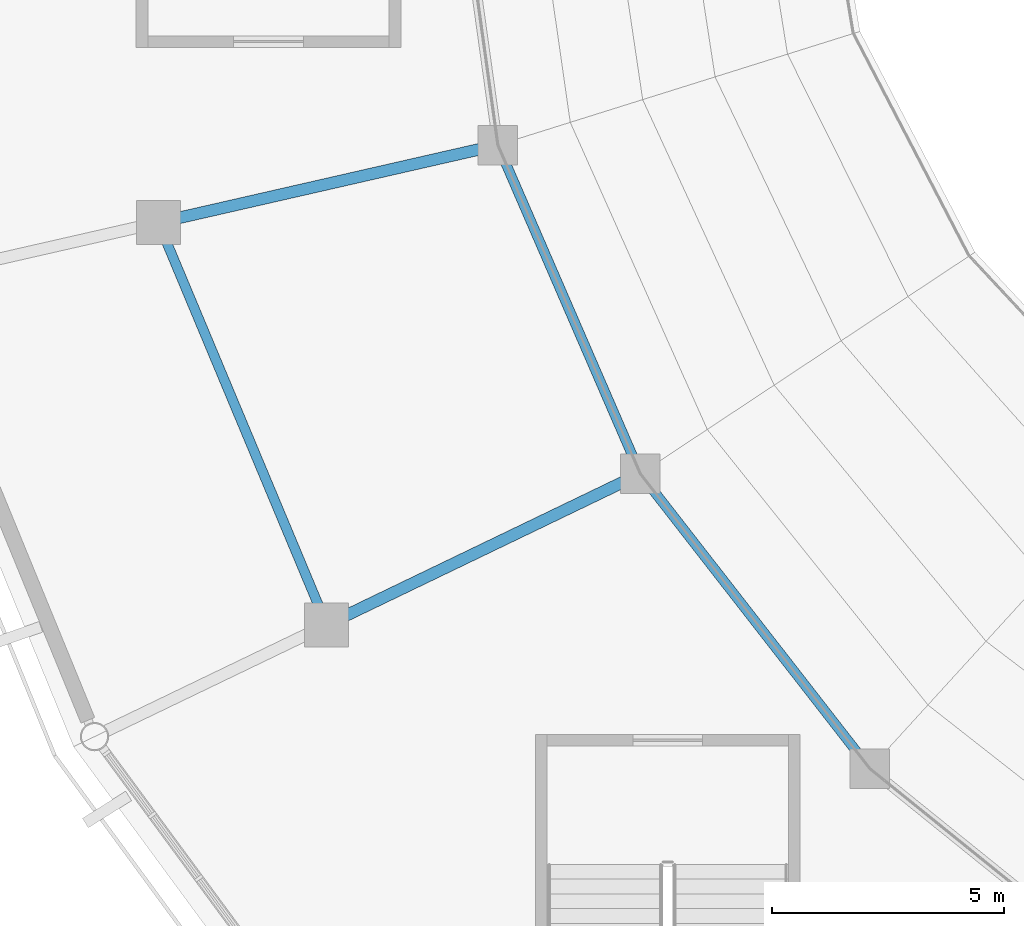
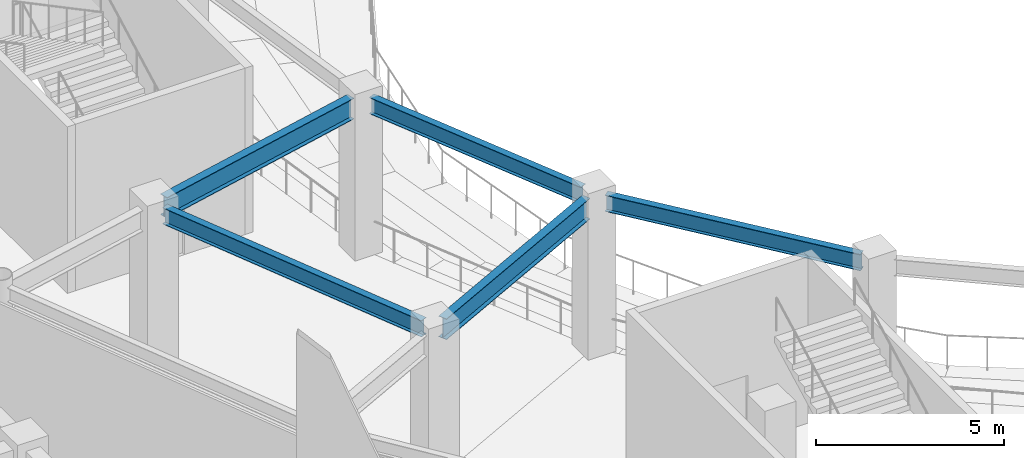
# One storey, part 21 of 120: 5 beams.
"""IFC4 building model written with IfcOpenShell, lengths in metres."""

from ifc_helpers import new_model, si_unit, direction, frame, origin, origin_2d, place, context, subcontext, project, spatial, i_section, extrude, material, material_profile, profile_set, type_object, element, save


model = new_model("IFC4")

# Units and contexts
model_context = context("Model", 3, precision=1e-05, world=origin(), true_north=direction((0.0, 1.0)))
body_context = subcontext(model_context, "Body", "Model", "MODEL_VIEW")
ifc_project = project(units=[si_unit("LENGTHUNIT", "METRE"), si_unit("AREAUNIT", "SQUARE_METRE"), si_unit("VOLUMEUNIT", "CUBIC_METRE"), si_unit("PLANEANGLEUNIT", "RADIAN"), si_unit("MASSUNIT", "GRAM", prefix="KILO")], contexts=[model_context])

# Site, building, storey
site_placement = place(None, origin())
site = spatial("IfcSite", under=ifc_project, at=site_placement, CompositionType="ELEMENT")
building_placement = place(site_placement, origin())
building = spatial("IfcBuilding", under=site, at=building_placement, Name="Cuetzalor Civic Arena", CompositionType="ELEMENT")
storey_placement = place(building_placement, frame((0.0, 0.0, 6.0)))
storey = spatial("IfcBuildingStorey", under=building, at=storey_placement, Name="L01", CompositionType="ELEMENT", Elevation=6.0)

# Beams
ifc_material_1 = material(Name="Steel S355", Category="steel")
ifc_material_profile_1 = material_profile(ifc_material_1, i_section(OverallWidth=0.208984375, OverallDepth=0.532958984375, WebThickness=0.01025390625, FlangeThickness=0.015625, at=origin_2d()), Name="W530x92")
ifc_profile_set_1 = profile_set([ifc_material_profile_1], Name="Steel S355")
beam_type_1 = type_object("IfcBeamType", Name="SteelCollarGirder_W530", PredefinedType="BEAM", material=ifc_profile_set_1)
beam_1_placement = place(storey_placement, frame((-47.628662109375, -9.46484375, 4.853515625), z_axis=(0.385813116722, -0.922576955579, 0.0), x_axis=(0.922576955579, 0.385813116722, 0.0)))
element("IfcBeam", 1, at=beam_1_placement, inside=storey, type_object=beam_type_1, Name="Drum Concourse Ring Girder L01-S16", PredefinedType="BEAM", context=body_context, shape_type="SweptSolid", body=[
    extrude(i_section(OverallWidth=0.208984375, OverallDepth=0.532958984375, WebThickness=0.01025390625, FlangeThickness=0.015625, at=origin_2d()), origin(), (0.0, 0.0, 1.0), 8.65283203125),
])
beam_2_placement = place(storey_placement, frame((-40.31640625, -7.784912109375, 4.853515625), z_axis=(0.39772689401, -0.917503851644, 0.0), x_axis=(0.917503851644, 0.39772689401, 0.0)))
element("IfcBeam", 2, at=beam_2_placement, inside=storey, type_object=beam_type_1, Name="Bowl Inner Ring Girder L01-S16", PredefinedType="BEAM", context=body_context, shape_type="SweptSolid", body=[
    extrude(i_section(OverallWidth=0.208984375, OverallDepth=0.532958984375, WebThickness=0.01025390625, FlangeThickness=0.015625, at=origin_2d()), origin(), (0.0, 0.0, 1.0), 6.9970703125),
])
beam_3_placement = place(storey_placement, frame((-37.169189453125, -14.819091796875, 4.853515625), z_axis=(0.614261103096, -0.789102843249, 0.0), x_axis=(0.789102843249, 0.614261103096, 0.0)))
element("IfcBeam", 3, at=beam_3_placement, inside=storey, type_object=beam_type_1, Name="Bowl Inner Ring Girder L01-S17", PredefinedType="BEAM", context=body_context, shape_type="SweptSolid", body=[
    extrude(i_section(OverallWidth=0.208984375, OverallDepth=0.532958984375, WebThickness=0.01025390625, FlangeThickness=0.015625, at=origin_2d()), origin(), (0.0, 0.0, 1.0), 7.329345703125),
])
ifc_material_2 = material(Name="Steel S355", Category="steel")
ifc_material_profile_2 = material_profile(ifc_material_2, i_section(OverallWidth=0.2529296875, OverallDepth=0.677978515625, WebThickness=0.01171875, FlangeThickness=0.016357421875, at=origin_2d()), Name="W690x125")
ifc_profile_set_2 = profile_set([ifc_material_profile_2], Name="Steel S355")
beam_type_2 = type_object("IfcBeamType", Name="SteelPrimaryGirder_W690", PredefinedType="BEAM", material=ifc_profile_set_2)
beam_4_placement = place(storey_placement, frame((-40.810546875, -7.53466796875, 4.781005859375), z_axis=(-0.974931535482, -0.222505058645, 0.0), x_axis=(0.222505058645, -0.974931535482, 0.0)))
element("IfcBeam", 4, at=beam_4_placement, inside=storey, type_object=beam_type_2, Name="Drum Inner Radial Girder L01-R16", PredefinedType="BEAM", context=body_context, shape_type="SweptSolid", body=[
    extrude(i_section(OverallWidth=0.2529296875, OverallDepth=0.677978515625, WebThickness=0.01171875, FlangeThickness=0.016357421875, at=origin_2d()), origin(), (0.0, 0.0, 1.0), 6.77978515625),
])
beam_5_placement = place(storey_placement, frame((-37.714599609375, -14.69140625, 4.781005859375), z_axis=(-0.900975603874, -0.433869751452, 0.0), x_axis=(0.433869751452, -0.900975603874, 0.0)))
element("IfcBeam", 5, at=beam_5_placement, inside=storey, type_object=beam_type_2, Name="Drum Inner Radial Girder L01-R17", PredefinedType="BEAM", context=body_context, shape_type="SweptSolid", body=[
    extrude(i_section(OverallWidth=0.2529296875, OverallDepth=0.677978515625, WebThickness=0.01171875, FlangeThickness=0.016357421875, at=origin_2d()), origin(), (0.0, 0.0, 1.0), 6.780029296875),
])

save(model, "model.ifc")
